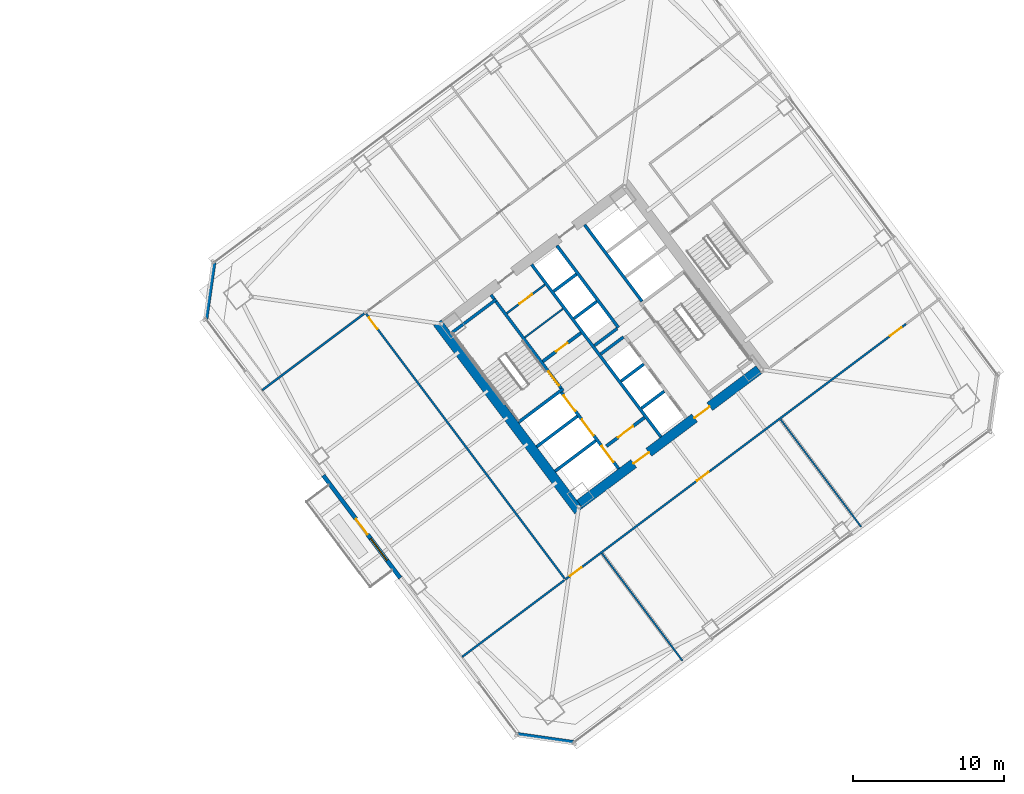
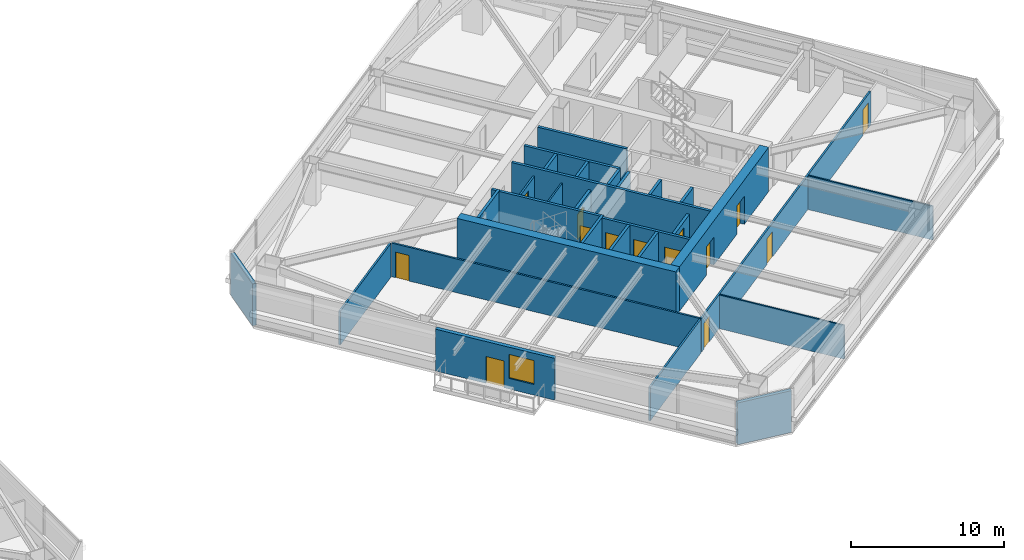
# One storey, part 35 of 44: 30 walls, 14 doors, 1 window, 15 openings.
"""IFC4 building model written with IfcOpenShell, lengths in metres."""

import ifcopenshell
import ifcopenshell.guid

model = None  # the IFC model being written
_history = None  # IfcOwnerHistory: only IFC2X3 demands one
_inside = {}  # id of a spatial element -> (the spatial element, [elements in it])
_under = {}  # id of a project, library or spatial element -> (it, [spatial elements below it])
_declared = {}  # id of a project -> (the project, [libraries it declares])
_typed = {}  # id of a type object -> (the type object, [elements of that type])
_made_of = {}  # id of a material, layer set ... -> (it, [elements and type objects made of it])


def new_model(schema):
    """Start an empty IFC model of exactly this schema.

    Asked for "IFC4X3", IfcOpenShell would pick the latest addendum, in which some entities
    have other attributes; the version numbers below select the first issue.
    IFC2X3 requires an IfcOwnerHistory on every rooted entity: one is made here for all.
    """
    global model, _history
    if schema == "IFC4X3":
        model = ifcopenshell.file(schema_version=(4, 3, 0, 0))
    else:
        model = ifcopenshell.file(schema=schema)
    _inside.clear()
    _under.clear()
    _declared.clear()
    _typed.clear()
    _made_of.clear()
    _history = None
    if model.schema == "IFC2X3":
        org = make("IfcOrganization", Name="unknown")
        user = make(
            "IfcPersonAndOrganization",
            ThePerson=make("IfcPerson", FamilyName="unknown"),
            TheOrganization=org,
        )
        app = make(
            "IfcApplication",
            ApplicationDeveloper=org,
            Version="unknown",
            ApplicationFullName="unknown",
            ApplicationIdentifier="unknown",
        )
        _history = make(
            "IfcOwnerHistory",
            OwningUser=user,
            OwningApplication=app,
            ChangeAction="ADDED",
            CreationDate=0,
        )
    return model


def make(cls, **values):
    """One entity of the class cls with the attributes given. An attribute that is None is left unset."""
    return model.create_entity(
        cls, **{name: value for name, value in values.items() if value is not None}
    )


def rooted(cls, **values):
    """An entity with a GlobalId (a new one), such as an element, a storey or a relation."""
    return make(cls, GlobalId=ifcopenshell.guid.new(), OwnerHistory=_history, **values)


def si_unit(unit_type, name, prefix=None):
    """IfcSIUnit, for example si_unit("LENGTHUNIT", "METRE", prefix="MILLI")."""
    return make("IfcSIUnit", UnitType=unit_type, Prefix=prefix, Name=name)


def assignment(units):
    """IfcUnitAssignment: the units of a project."""
    return None if units is None else make("IfcUnitAssignment", Units=units)


def point(xyz):
    """IfcCartesianPoint."""
    return None if xyz is None else make("IfcCartesianPoint", Coordinates=xyz)


def direction(xyz):
    """IfcDirection."""
    return None if xyz is None else make("IfcDirection", DirectionRatios=xyz)


def frame(location, z_axis=None, x_axis=None):
    """IfcAxis2Placement3D, a coordinate frame: its origin and axes. An axis left out is left unset."""
    return make(
        "IfcAxis2Placement3D",
        Location=point(location),
        Axis=direction(z_axis),
        RefDirection=direction(x_axis),
    )


def frame_2d(location, x_axis=None):
    """IfcAxis2Placement2D, a coordinate frame in the plane: its origin and x axis."""
    return make(
        "IfcAxis2Placement2D", Location=point(location), RefDirection=direction(x_axis)
    )


def origin():
    """The frame at (0, 0, 0) with its axes left unset."""
    return frame((0.0, 0.0, 0.0))


def place(relative_to, where):
    """IfcLocalPlacement: puts the frame where relative to a parent placement (None: the world)."""
    return make(
        "IfcLocalPlacement", PlacementRelTo=relative_to, RelativePlacement=where
    )


def context(
    kind, dimensions, precision=None, world=None, true_north=None, identifier=None
):
    """IfcGeometricRepresentationContext, for example the 3D "Model" context."""
    return make(
        "IfcGeometricRepresentationContext",
        ContextIdentifier=identifier,
        ContextType=kind,
        CoordinateSpaceDimension=dimensions,
        Precision=precision,
        WorldCoordinateSystem=world,
        TrueNorth=true_north,
    )


def subcontext(parent, identifier, kind, view, scale=None):
    """IfcGeometricRepresentationSubContext, for example "Body" below "Model"."""
    return make(
        "IfcGeometricRepresentationSubContext",
        ContextIdentifier=identifier,
        ContextType=kind,
        ParentContext=parent,
        TargetScale=scale,
        TargetView=view,
    )


def project(units=None, contexts=None):
    """IfcProject with its units and contexts."""
    return rooted(
        "IfcProject",
        Name="project",
        RepresentationContexts=contexts,
        UnitsInContext=assignment(units),
    )


def spatial(cls, under=None, at=None, **own):
    """A site, building, storey or space (cls), placed at a placement, below another one or the project."""
    s = rooted(cls, ObjectPlacement=at, **own)
    if under is not None:
        _under.setdefault(under.id(), (under, []))[1].append(s)
    return s


def profile(cls, at=None, kind="AREA", **sizes):
    """A parametric profile (cls). Its sizes go by their IFC names, for example OverallWidth=200.0."""
    return make(cls, ProfileType=kind, Position=at, **sizes)


def rectangle(**sizes):
    """IfcRectangleProfileDef."""
    return profile("IfcRectangleProfileDef", **sizes)


def extrude(swept, where, along, depth):
    """IfcExtrudedAreaSolid: the profile swept, set in the frame where, extruded along a direction by depth."""
    return make(
        "IfcExtrudedAreaSolid",
        SweptArea=swept,
        Position=where,
        ExtrudedDirection=direction(along),
        Depth=depth,
    )


def shape(context_of_items, identifier, shape_type, items):
    """IfcShapeRepresentation: the items that make up one representation, for example the "Body"."""
    return make(
        "IfcShapeRepresentation",
        ContextOfItems=context_of_items,
        RepresentationIdentifier=identifier,
        RepresentationType=shape_type,
        Items=items,
    )


def material(Name=None, Category=None):
    """IfcMaterial."""
    return make("IfcMaterial", Name=Name, Category=Category)


def layer(
    of_material, thickness, ventilated=None, Name=None, Category=None, Priority=None
):
    """IfcMaterialLayer: one layer of a wall or slab, of a material (None: an air gap)."""
    return make(
        "IfcMaterialLayer",
        Material=of_material,
        LayerThickness=thickness,
        IsVentilated=ventilated,
        Name=Name,
        Category=Category,
        Priority=Priority,
    )


def layer_set(layers, Name=None):
    """IfcMaterialLayerSet."""
    return make("IfcMaterialLayerSet", MaterialLayers=layers, LayerSetName=Name)


def made_of(thing, what):
    """Note that an element or type object is made of a material, layer set ...; save() writes the relation."""
    if what is not None:
        _made_of.setdefault(what.id(), (what, []))[1].append(thing)
    return thing


def type_object(cls, material=None, **own):
    """A type object (cls), such as IfcWallType, which elements share."""
    return made_of(rooted(cls, **own), material)


def element(
    cls,
    number,
    at=None,
    inside=None,
    cuts=None,
    type_object=None,
    material=None,
    context=None,
    identifier="Body",
    shape_type=None,
    held_by="IfcProductDefinitionShape",
    body=None,
    shapes=None,
    **own,
):
    """One element of the class cls, such as IfcWall. Its Tag is "e" and its number.

    at: its placement. inside: the storey or other place that contains it. cuts: it is an
    opening in that element (IfcRelVoidsElement). A single representation is given by context,
    identifier, shape_type and body (its items); several are given by shapes. held_by: the class
    of the entity that holds the representations. save() writes the other relations.
    """
    e = rooted(cls, Tag="e%d" % number, ObjectPlacement=at, **own)
    if body is not None:
        shapes = [shape(context, identifier, shape_type, body)]
    if shapes is not None:
        e.Representation = make(held_by, Representations=shapes)
    if inside is not None:
        _inside.setdefault(inside.id(), (inside, []))[1].append(e)
    if cuts is not None:
        rooted(
            "IfcRelVoidsElement", RelatingBuildingElement=cuts, RelatedOpeningElement=e
        )
    if type_object is not None:
        _typed.setdefault(type_object.id(), (type_object, []))[1].append(e)
    return made_of(e, material)


def fill(opening, filler):
    """IfcRelFillsElement: the door or window that sits in an opening."""
    return rooted(
        "IfcRelFillsElement",
        RelatingOpeningElement=opening,
        RelatedBuildingElement=filler,
    )


def aggregate(whole, parts):
    """IfcRelAggregates: a whole, such as a stair, and the parts it consists of."""
    return rooted("IfcRelAggregates", RelatingObject=whole, RelatedObjects=parts)


def save(model, path):
    """Write the relations noted so far, then the file.

    IfcRelAggregates (storeys below a building ...), IfcRelContainedInSpatialStructure (elements
    in a storey), IfcRelDefinesByType, IfcRelAssociatesMaterial and IfcRelDeclares: one each for
    every whole, place, type object, material and project.
    """
    for whole, parts in _under.values():
        aggregate(whole, parts)
    for where, things in _inside.values():
        rooted(
            "IfcRelContainedInSpatialStructure",
            RelatedElements=things,
            RelatingStructure=where,
        )
    for kind, things in _typed.values():
        rooted("IfcRelDefinesByType", RelatedObjects=things, RelatingType=kind)
    for what, things in _made_of.values():
        rooted("IfcRelAssociatesMaterial", RelatedObjects=things, RelatingMaterial=what)
    for by, libraries in _declared.values():
        rooted("IfcRelDeclares", RelatingContext=by, RelatedDefinitions=libraries)
    model.write(path)


model = new_model("IFC4")

# Units and contexts
model_context = context("Model", 3, precision=1e-05, world=origin(), true_north=direction((0.0, 1.0)))
body_context = subcontext(model_context, "Body", "Model", "MODEL_VIEW")
ifc_project = project(units=[si_unit("LENGTHUNIT", "METRE"), si_unit("AREAUNIT", "SQUARE_METRE"), si_unit("VOLUMEUNIT", "CUBIC_METRE"), si_unit("PLANEANGLEUNIT", "RADIAN"), si_unit("MASSUNIT", "GRAM", prefix="KILO")], contexts=[model_context])

# Site, building, storey
site_placement = place(None, origin())
site = spatial("IfcSite", under=ifc_project, at=site_placement, CompositionType="ELEMENT")
building_placement = place(site_placement, origin())
building = spatial("IfcBuilding", under=site, at=building_placement, Name="Tashvorn Skyway Center", CompositionType="ELEMENT")
storey_placement = place(building_placement, frame((0.0, 0.0, 84.949951171875)))
storey = spatial("IfcBuildingStorey", under=building, at=storey_placement, Name="L22", CompositionType="ELEMENT", Elevation=84.949951171875)

# Wall
ifc_material_1 = material(Name="Concrete C60/75", Category="concrete")
ifc_layer_1 = layer(ifc_material_1, 0.64990234375)
ifc_layer_set_1 = layer_set([ifc_layer_1], Name="Concrete C60/75")
wall_type_1 = type_object("IfcWallType", Name="WALL-CORE-650", PredefinedType="SHEAR", material=ifc_layer_set_1)
wall_1_placement = place(storey_placement, frame((112.47607421875, 21.10693359375, 0.0), z_axis=(0.0, 0.0, 1.0), x_axis=(-0.600005007985, 0.799996243986, 0.0)))
element("IfcWall", 1, at=wall_1_placement, inside=storey, type_object=wall_type_1, Name="Tower 2 L22 West Core Shear Wall", PredefinedType="SHEAR", context=body_context, shape_type="SweptSolid", body=[
    extrude(rectangle(XDim=15.60009765625, YDim=0.64990234375, at=frame_2d((7.800048828125, 0.0))), origin(), (0.0, 0.0, 1.0), 3.550048828125),
])

# Wall, openings, doors
wall_2_placement = place(storey_placement, frame((124.428955078125, 30.47802734375, 0.0), z_axis=(0.0, 0.0, 1.0), x_axis=(-0.799998028465, -0.600002628705, 0.0)))
wall_2 = element("IfcWall", 2, at=wall_2_placement, inside=storey, type_object=wall_type_1, Name="Tower 2 L22 South Core Shear Wall", PredefinedType="SHEAR", context=body_context, shape_type="SweptSolid", body=[
    extrude(rectangle(XDim=14.85986328125, YDim=0.64990234375, at=frame_2d((7.429931640625, 0.0))), origin(), (0.0, 0.0, 1.0), 3.550048828125),
])
opening_1_placement = place(wall_2_placement, frame((9.1298828125, 0.0, 0.0)))
opening_1 = element("IfcOpeningElement", 3, at=opening_1_placement, cuts=wall_2, Name="Opening D-FFL-1250", PredefinedType="OPENING", context=body_context, shape_type="SweptSolid", body=[
    extrude(rectangle(XDim=1.25, YDim=2.25, at=frame_2d((0.625, 1.125))), frame((0.0, 0.3349609375, 0.0), z_axis=(0.0, -1.0, 0.0), x_axis=(1.0, 0.0, 0.0)), (0.0, 0.0, 1.0), 0.669921875),
])
opening_2_placement = place(wall_2_placement, frame((4.080078125, 0.0, 0.0)))
opening_2 = element("IfcOpeningElement", 4, at=opening_2_placement, cuts=wall_2, Name="Opening D-FFL-1250", PredefinedType="OPENING", context=body_context, shape_type="SweptSolid", body=[
    extrude(rectangle(XDim=1.25, YDim=2.25, at=frame_2d((0.625, 1.125))), frame((0.0, 0.3349609375, 0.0), z_axis=(0.0, -1.0, 0.0), x_axis=(1.0, 0.0, 0.0)), (0.0, 0.0, 1.0), 0.669921875),
])
ifc_material_2 = material(Name="Hollow galvanized steel fire door assembly", Category="steel")
door_type_1 = type_object("IfcDoorType", Name="DOOR-FFL-1250", OperationType="NOTDEFINED", PredefinedType="DOOR", material=ifc_material_2)
door_1_placement = place(opening_1_placement, origin())
door_1 = element("IfcDoor", 5, at=door_1_placement, inside=storey, type_object=door_type_1, Name="Tower 2 L22 Core South Firefighting Exit Door", OperationType="SINGLE_SWING_LEFT", OverallHeight=2.25, OverallWidth=1.25, PredefinedType="DOOR", context=body_context, shape_type="SweptSolid", body=[
    extrude(rectangle(XDim=1.25, YDim=2.25, at=frame_2d((0.625, 1.125))), frame((0.0, 0.02490234375, 0.0), z_axis=(0.0, -1.0, 0.0), x_axis=(1.0, 0.0, 0.0)), (0.0, 0.0, 1.0), 0.050048828125),
])
fill(opening_1, door_1)
door_2_placement = place(opening_2_placement, origin())
door_2 = element("IfcDoor", 6, at=door_2_placement, inside=storey, type_object=door_type_1, Name="Tower 2 L22 Core South Lift Lobby Door", OperationType="SINGLE_SWING_RIGHT", OverallHeight=2.25, OverallWidth=1.25, PredefinedType="DOOR", context=body_context, shape_type="SweptSolid", body=[
    extrude(rectangle(XDim=1.25, YDim=2.25, at=frame_2d((0.625, 1.125))), frame((0.0, 0.02490234375, 0.0), z_axis=(0.0, -1.0, 0.0), x_axis=(1.0, 0.0, 0.0)), (0.0, 0.0, 1.0), 0.050048828125),
])
fill(opening_2, door_2)

# Wall, openings, door, window
ifc_material_3 = material(Name="Precast concrete C40/50", Category="concrete")
ifc_layer_2 = layer(ifc_material_3, 0.280029296875)
ifc_layer_set_2 = layer_set([ifc_layer_2], Name="Precast concrete C40/50")
wall_type_2 = type_object("IfcWallType", Name="WALL-EXT-280", PredefinedType="SOLIDWALL", material=ifc_layer_set_2)
wall_3_placement = place(storey_placement, frame((100.64599609375, 16.672119140625, 0.0), z_axis=(0.0, 0.0, 1.0), x_axis=(-0.600018382406, 0.799986212866, 0.0)))
wall_3 = element("IfcWall", 7, at=wall_3_placement, inside=storey, type_object=wall_type_2, Name="Tower 2 L22 West Terrace Portal Wall", PredefinedType="SOLIDWALL", context=body_context, shape_type="SweptSolid", body=[
    extrude(rectangle(XDim=8.5, YDim=0.280029296875, at=frame_2d((4.25, 0.0))), origin(), (0.0, 0.0, 1.0), 3.35009765625),
])
opening_3_placement = place(wall_3_placement, frame((3.60009765625, 0.0, 0.0)))
opening_3 = element("IfcOpeningElement", 8, at=opening_3_placement, cuts=wall_3, Name="Opening D-TER-1300", PredefinedType="OPENING", context=body_context, shape_type="SweptSolid", body=[
    extrude(rectangle(XDim=1.300048828125, YDim=2.14990234375, at=frame_2d((0.64990234375, 1.074951171875))), frame((0.0, 0.14990234375, 0.0), z_axis=(0.0, -1.0, 0.0), x_axis=(1.0, 0.0, 0.0)), (0.0, 0.0, 1.0), 0.300048828125),
])
opening_4_placement = place(wall_3_placement, frame((1.4599609375, 0.0, 0.85009765625)))
opening_4 = element("IfcOpeningElement", 9, at=opening_4_placement, cuts=wall_3, Name="Opening WIN-1800", PredefinedType="OPENING", context=body_context, shape_type="SweptSolid", body=[
    extrude(rectangle(XDim=1.800048828125, YDim=1.919921875, at=frame_2d((0.89990234375, 0.9599609375))), frame((0.0, 0.14990234375, 0.0), z_axis=(0.0, -1.0, 0.0), x_axis=(1.0, 0.0, 0.0)), (0.0, 0.0, 1.0), 0.300048828125),
])
ifc_material_4 = material(Name="Thermally broken bronze-anodized aluminium 6063-T6", Category="aluminium")
door_type_2 = type_object("IfcDoorType", Name="DOOR-TERR-1300", OperationType="NOTDEFINED", PredefinedType="DOOR", material=ifc_material_4)
door_3_placement = place(opening_3_placement, origin())
door_3 = element("IfcDoor", 10, at=door_3_placement, inside=storey, type_object=door_type_2, Name="Tower 2 L22 Terrace Access Door", OperationType="SINGLE_SWING_LEFT", OverallHeight=2.14990234375, OverallWidth=1.300048828125, PredefinedType="DOOR", context=body_context, shape_type="SweptSolid", body=[
    extrude(rectangle(XDim=1.300048828125, YDim=2.14990234375, at=frame_2d((0.64990234375, 1.074951171875))), frame((0.0, 0.02490234375, 0.0), z_axis=(0.0, -1.0, 0.0), x_axis=(1.0, 0.0, 0.0)), (0.0, 0.0, 1.0), 0.050048828125),
])
fill(opening_3, door_3)
ifc_material_5 = material(Name="Low-E solar-control double insulating safety glass", Category="glass")
window_type = type_object("IfcWindowType", Name="WIN-TERR-1800", PartitioningType="SINGLE_PANEL", PredefinedType="WINDOW", material=ifc_material_5)
window_placement = place(opening_4_placement, origin())
window = element("IfcWindow", 11, at=window_placement, inside=storey, type_object=window_type, Name="Tower 2 L22 Terrace Window", OverallHeight=1.919921875, OverallWidth=1.800048828125, PartitioningType="SINGLE_PANEL", PredefinedType="WINDOW", context=body_context, shape_type="SweptSolid", body=[
    extrude(rectangle(XDim=1.800048828125, YDim=1.919921875, at=frame_2d((0.89990234375, 0.9599609375))), frame((0.0, 0.030029296875, 0.0), z_axis=(0.0, -1.0, 0.0), x_axis=(1.0, 0.0, 0.0)), (0.0, 0.0, 1.0), 0.06005859375),
])
fill(opening_4, window)

# Walls
for number, where, z_axis, x_axis, name in (
    (12, (112.179931640625, 5.760009765625, 0.0), (0.0, 0.0, 1.0), (-0.989948214866, 0.141430307517, 0.0), "Tower 2 L22 SW Precast Chamfer Wall"),
    (13, (87.760009765625, 33.820068359375, 0.0), (0.0, 0.0, 1.0), (0.141430307517, 0.989948214866, 0.0), "Tower 2 L22 NW Precast Chamfer Wall"),
):
    element("IfcWall", number, at=place(storey_placement, frame(where, z_axis=z_axis, x_axis=x_axis)), inside=storey, type_object=wall_type_2, Name=name, PredefinedType="SOLIDWALL", context=body_context, shape_type="SweptSolid", body=[
        extrude(rectangle(XDim=3.818359375, YDim=0.280029296875, at=frame_2d((1.9091796875, 0.0))), origin(), (0.0, 0.0, 1.0), 3.35009765625),
    ])

# Wall, opening, door
ifc_material_6 = material(Name="Concrete C40/50", Category="concrete")
ifc_layer_3 = layer(ifc_material_6, 0.219970703125)
ifc_layer_set_3 = layer_set([ifc_layer_3], Name="Concrete C40/50")
wall_type_3 = type_object("IfcWallType", Name="WALL-FFL-220", PredefinedType="SOLIDWALL", material=ifc_layer_set_3)
wall_4_placement = place(storey_placement, frame((110.10400390625, 31.028076171875, 0.0), z_axis=(0.0, 0.0, 1.0), x_axis=(0.800018601094, 0.59997519774, 0.0)))
wall_4 = element("IfcWall", 14, at=wall_4_placement, inside=storey, type_object=wall_type_3, Name="Tower 2 L22 Firefighting Lobby North Wall", PredefinedType="SOLIDWALL", context=body_context, shape_type="SweptSolid", body=[
    extrude(rectangle(XDim=3.14990234375, YDim=0.219970703125, at=frame_2d((1.574951171875, 0.0))), origin(), (0.0, 0.0, 1.0), 2.703125),
])
opening_5_placement = place(wall_4_placement, frame((1.10009765625, 0.0, 0.0)))
opening_5 = element("IfcOpeningElement", 15, at=opening_5_placement, cuts=wall_4, Name="Opening D-RT-950", PredefinedType="OPENING", context=body_context, shape_type="SweptSolid", body=[
    extrude(rectangle(XDim=0.949951171875, YDim=2.050048828125, at=frame_2d((0.47509765625, 1.02490234375))), frame((0.0, 0.119873046875, 0.0), z_axis=(0.0, -1.0, 0.0), x_axis=(1.0, 0.0, 0.0)), (0.0, 0.0, 1.0), 0.239990234375),
])
door_type_3 = type_object("IfcDoorType", Name="DOOR-RATED-950", OperationType="NOTDEFINED", PredefinedType="DOOR", material=ifc_material_2)
door_4_placement = place(opening_5_placement, origin())
door_4 = element("IfcDoor", 16, at=door_4_placement, inside=storey, type_object=door_type_3, Name="Tower 2 L22 Core Linen Store Door", OperationType="SINGLE_SWING_LEFT", OverallHeight=2.050048828125, OverallWidth=0.949951171875, PredefinedType="DOOR", context=body_context, shape_type="SweptSolid", body=[
    extrude(rectangle(XDim=0.949951171875, YDim=2.050048828125, at=frame_2d((0.47509765625, 1.02490234375))), frame((0.0, 0.02490234375, 0.0), z_axis=(0.0, -1.0, 0.0), x_axis=(1.0, 0.0, 0.0)), (0.0, 0.0, 1.0), 0.050048828125),
])
fill(opening_5, door_4)

wall_5_placement = place(storey_placement, frame((114.31591796875, 25.412109375, 0.0), z_axis=(0.0, 0.0, 1.0), x_axis=(0.800018601094, 0.59997519774, 0.0)))
wall_5 = element("IfcWall", 17, at=wall_5_placement, inside=storey, type_object=wall_type_3, Name="Tower 2 L22 Firefighting Lobby South Wall", PredefinedType="SOLIDWALL", context=body_context, shape_type="SweptSolid", body=[
    extrude(rectangle(XDim=3.14990234375, YDim=0.219970703125, at=frame_2d((1.574951171875, 0.0))), origin(), (0.0, 0.0, 1.0), 2.703125),
])
opening_6_placement = place(wall_5_placement, frame((0.949951171875, 0.0, 0.0)))
opening_6 = element("IfcOpeningElement", 18, at=opening_6_placement, cuts=wall_5, Name="Opening D-FFL-1250", PredefinedType="OPENING", context=body_context, shape_type="SweptSolid", body=[
    extrude(rectangle(XDim=1.25, YDim=2.25, at=frame_2d((0.625, 1.125))), frame((0.0, 0.119873046875, 0.0), z_axis=(0.0, -1.0, 0.0), x_axis=(1.0, 0.0, 0.0)), (0.0, 0.0, 1.0), 0.239990234375),
])
door_5_placement = place(opening_6_placement, origin())
door_5 = element("IfcDoor", 19, at=door_5_placement, inside=storey, type_object=door_type_1, Name="Tower 2 L22 Firefighting Lobby Egress Door", OperationType="SINGLE_SWING_LEFT", OverallHeight=2.25, OverallWidth=1.25, PredefinedType="DOOR", context=body_context, shape_type="SweptSolid", body=[
    extrude(rectangle(XDim=1.25, YDim=2.25, at=frame_2d((0.625, 1.125))), frame((0.0, 0.02490234375, 0.0), z_axis=(0.0, -1.0, 0.0), x_axis=(1.0, 0.0, 0.0)), (0.0, 0.0, 1.0), 0.050048828125),
])
fill(opening_6, door_5)

# Walls
ifc_material_7 = material(Name="Gypsum board on cold-formed steel stud framing", Category="steel")
ifc_layer_4 = layer(ifc_material_7, 0.110107421875)
ifc_layer_set_4 = layer_set([ifc_layer_4], Name="Gypsum board on cold-formed steel stud framing")
wall_type_4 = type_object("IfcWallType", Name="WALL-PART-110", PredefinedType="PARTITIONING", material=ifc_layer_set_4)
wall_6_placement = place(storey_placement, frame((119.367919921875, 11.176025390625, 0.0), z_axis=(0.0, 0.0, 1.0), x_axis=(-0.59999561085, 0.800003291844, 0.0)))
element("IfcWall", 20, at=wall_6_placement, inside=storey, type_object=wall_type_4, Name="Tower 2 L22 South Suite Partition 1", PredefinedType="PARTITIONING", context=body_context, shape_type="SweptSolid", body=[
    extrude(rectangle(XDim=8.89990234375, YDim=0.110107421875, at=frame_2d((4.449951171875, 0.0))), origin(), (0.0, 0.0, 1.0), 2.703125),
])
wall_7_placement = place(storey_placement, frame((131.2080078125, 20.055908203125, 0.0), z_axis=(0.0, 0.0, 1.0), x_axis=(-0.6, 0.8, 0.0)))
element("IfcWall", 21, at=wall_7_placement, inside=storey, type_object=wall_type_4, Name="Tower 2 L22 South Suite Partition 2", PredefinedType="PARTITIONING", context=body_context, shape_type="SweptSolid", body=[
    extrude(rectangle(XDim=8.900146484375, YDim=0.110107421875, at=frame_2d((4.4501953125, 0.0))), origin(), (0.0, 0.0, 1.0), 2.703125),
])

# Wall, openings, doors
ifc_layer_5 = layer(ifc_material_7, 0.135009765625)
ifc_layer_set_5 = layer_set([ifc_layer_5], Name="Gypsum board on cold-formed steel stud framing")
wall_type_5 = type_object("IfcWallType", Name="WALL-PART-135", PredefinedType="PARTITIONING", material=ifc_layer_set_5)
wall_8_placement = place(storey_placement, frame((134.179931640625, 33.510009765625, 0.0), z_axis=(0.0, 0.0, 1.0), x_axis=(-0.8, -0.6, 0.0)))
wall_8 = element("IfcWall", 22, at=wall_8_placement, inside=storey, type_object=wall_type_5, Name="Tower 2 L22 South Suite Wall", PredefinedType="PARTITIONING", context=body_context, shape_type="SweptSolid", body=[
    extrude(rectangle(XDim=28.22998046875, YDim=0.135009765625, at=frame_2d((14.114990234375, 0.0))), origin(), (0.0, 0.0, 1.0), 2.703125),
])
opening_7_placement = place(wall_8_placement, frame((26.89990234375, 0.0, 0.0)))
opening_7 = element("IfcOpeningElement", 23, at=opening_7_placement, cuts=wall_8, Name="Opening D-INT-950", PredefinedType="OPENING", context=body_context, shape_type="SweptSolid", body=[
    extrude(rectangle(XDim=0.949951171875, YDim=2.050048828125, at=frame_2d((0.47509765625, 1.02490234375))), frame((0.0, 0.077392578125, 0.0), z_axis=(0.0, -1.0, 0.0), x_axis=(1.0, 0.0, 0.0)), (0.0, 0.0, 1.0), 0.155029296875),
])
opening_8_placement = place(wall_8_placement, frame((16.3681640625, 0.0, 0.0)))
opening_8 = element("IfcOpeningElement", 24, at=opening_8_placement, cuts=wall_8, Name="Opening D-INT-950", PredefinedType="OPENING", context=body_context, shape_type="SweptSolid", body=[
    extrude(rectangle(XDim=0.949951171875, YDim=2.050048828125, at=frame_2d((0.47509765625, 1.02490234375))), frame((0.0, 0.077392578125, 0.0), z_axis=(0.0, -1.0, 0.0), x_axis=(1.0, 0.0, 0.0)), (0.0, 0.0, 1.0), 0.155029296875),
])
opening_9_placement = place(wall_8_placement, frame((0.3798828125, 0.0, 0.0)))
opening_9 = element("IfcOpeningElement", 25, at=opening_9_placement, cuts=wall_8, Name="Opening D-INT-950", PredefinedType="OPENING", context=body_context, shape_type="SweptSolid", body=[
    extrude(rectangle(XDim=0.949951171875, YDim=2.050048828125, at=frame_2d((0.47509765625, 1.02490234375))), frame((0.0, 0.077392578125, 0.0), z_axis=(0.0, -1.0, 0.0), x_axis=(1.0, 0.0, 0.0)), (0.0, 0.0, 1.0), 0.155029296875),
])
ifc_material_8 = material(Name="Solid-core architectural oak veneer door")
door_type_4 = type_object("IfcDoorType", Name="DOOR-INT-950", OperationType="NOTDEFINED", PredefinedType="DOOR", material=ifc_material_8)
door_6_placement = place(opening_7_placement, origin())
door_6 = element("IfcDoor", 26, at=door_6_placement, inside=storey, type_object=door_type_4, Name="Tower 2 L22 Research Library Door", OperationType="SINGLE_SWING_RIGHT", OverallHeight=2.050048828125, OverallWidth=0.949951171875, PredefinedType="DOOR", context=body_context, shape_type="SweptSolid", body=[
    extrude(rectangle(XDim=0.949951171875, YDim=2.050048828125, at=frame_2d((0.47509765625, 1.02490234375))), frame((0.0, 0.02490234375, 0.0), z_axis=(0.0, -1.0, 0.0), x_axis=(1.0, 0.0, 0.0)), (0.0, 0.0, 1.0), 0.050048828125),
])
fill(opening_7, door_6)
door_7_placement = place(opening_8_placement, origin())
door_7 = element("IfcDoor", 27, at=door_7_placement, inside=storey, type_object=door_type_4, Name="Tower 2 L22 Security Control Room Door", OperationType="SINGLE_SWING_LEFT", OverallHeight=2.050048828125, OverallWidth=0.949951171875, PredefinedType="DOOR", context=body_context, shape_type="SweptSolid", body=[
    extrude(rectangle(XDim=0.949951171875, YDim=2.050048828125, at=frame_2d((0.47509765625, 1.02490234375))), frame((0.0, 0.02490234375, 0.0), z_axis=(0.0, -1.0, 0.0), x_axis=(1.0, 0.0, 0.0)), (0.0, 0.0, 1.0), 0.050048828125),
])
fill(opening_8, door_7)
door_8_placement = place(opening_9_placement, origin())
door_8 = element("IfcDoor", 28, at=door_8_placement, inside=storey, type_object=door_type_4, Name="Tower 2 L22 Security Control Room Door", OperationType="SINGLE_SWING_RIGHT", OverallHeight=2.050048828125, OverallWidth=0.949951171875, PredefinedType="DOOR", context=body_context, shape_type="SweptSolid", body=[
    extrude(rectangle(XDim=0.949951171875, YDim=2.050048828125, at=frame_2d((0.47509765625, 1.02490234375))), frame((0.0, 0.02490234375, 0.0), z_axis=(0.0, -1.0, 0.0), x_axis=(1.0, 0.0, 0.0)), (0.0, 0.0, 1.0), 0.050048828125),
])
fill(opening_9, door_8)

# Wall, opening, door
wall_9_placement = place(storey_placement, frame((111.548095703125, 16.635986328125, 0.0), z_axis=(0.0, 0.0, 1.0), x_axis=(-0.600001780419, 0.799998664682, 0.0)))
wall_9 = element("IfcWall", 29, at=wall_9_placement, inside=storey, type_object=wall_type_5, Name="Tower 2 L22 West Inner Suite Wall", PredefinedType="PARTITIONING", context=body_context, shape_type="SweptSolid", body=[
    extrude(rectangle(XDim=21.93994140625, YDim=0.135009765625, at=frame_2d((10.969970703125, 0.0))), origin(), (0.0, 0.0, 1.0), 2.703125),
])
opening_10_placement = place(wall_9_placement, frame((20.68994140625, 0.0, 0.0)))
opening_10 = element("IfcOpeningElement", 30, at=opening_10_placement, cuts=wall_9, Name="Opening D-INT-950", PredefinedType="OPENING", context=body_context, shape_type="SweptSolid", body=[
    extrude(rectangle(XDim=0.949951171875, YDim=2.050048828125, at=frame_2d((0.47509765625, 1.02490234375))), frame((0.0, 0.077392578125, 0.0), z_axis=(0.0, -1.0, 0.0), x_axis=(1.0, 0.0, 0.0)), (0.0, 0.0, 1.0), 0.155029296875),
])
door_9_placement = place(opening_10_placement, origin())
door_9 = element("IfcDoor", 31, at=door_9_placement, inside=storey, type_object=door_type_4, Name="Tower 2 L22 Design Studio Door", OperationType="SINGLE_SWING_LEFT", OverallHeight=2.050048828125, OverallWidth=0.949951171875, PredefinedType="DOOR", context=body_context, shape_type="SweptSolid", body=[
    extrude(rectangle(XDim=0.949951171875, YDim=2.050048828125, at=frame_2d((0.47509765625, 1.02490234375))), frame((0.0, 0.02490234375, 0.0), z_axis=(0.0, -1.0, 0.0), x_axis=(1.0, 0.0, 0.0)), (0.0, 0.0, 1.0), 0.050048828125),
])
fill(opening_10, door_9)

# Walls
for number, where, z_axis, x_axis, name in (
    (32, (98.27197265625, 34.2041015625, 0.0), (0.0, 0.0, 1.0), (-0.799993082085, -0.600009223776, 0.0), "Tower 2 L22 West Suite North Wall"),
    (33, (104.756103515625, 11.44189453125, 0.0), (0.0, 0.0, 1.0), (0.799993082085, 0.600009223776, 0.0), "Tower 2 L22 West Suite South Wall"),
):
    element("IfcWall", number, at=place(storey_placement, frame(where, z_axis=z_axis, x_axis=x_axis)), inside=storey, type_object=wall_type_5, Name=name, PredefinedType="PARTITIONING", context=body_context, shape_type="SweptSolid", body=[
        extrude(rectangle(XDim=8.469970703125, YDim=0.135009765625, at=frame_2d((4.23486328125, 0.0))), origin(), (0.0, 0.0, 1.0), 2.703125),
    ])
ifc_layer_6 = layer(ifc_material_7, 0.110107421875)
ifc_layer_set_6 = layer_set([ifc_layer_6], Name="Gypsum board on cold-formed steel stud framing")
wall_type_6 = type_object("IfcWallType", Name="WALL-RATED-110", PredefinedType="PARTITIONING", material=ifc_layer_set_6)
wall_10_placement = place(storey_placement, frame((108.909912109375, 32.6201171875, 0.0), z_axis=(0.0, 0.0, 1.0), x_axis=(0.800018601094, 0.59997519774, 0.0)))
element("IfcWall", 34, at=wall_10_placement, inside=storey, type_object=wall_type_6, Name="Tower 2 L22 Core Transverse Wall", PredefinedType="PARTITIONING", context=body_context, shape_type="SweptSolid", body=[
    extrude(rectangle(XDim=3.14990234375, YDim=0.110107421875, at=frame_2d((1.574951171875, 0.0))), origin(), (0.0, 0.0, 1.0), 2.703125),
])

# Wall, opening, door
ifc_layer_7 = layer(ifc_material_7, 0.135009765625)
ifc_layer_set_7 = layer_set([ifc_layer_7], Name="Gypsum board on cold-formed steel stud framing")
wall_type_7 = type_object("IfcWallType", Name="WALL-RATED-135", PredefinedType="PARTITIONING", material=ifc_layer_set_7)
wall_11_placement = place(storey_placement, frame((107.7099609375, 34.219970703125, 0.0), z_axis=(0.0, 0.0, 1.0), x_axis=(0.799981399002, 0.60002480053, 0.0)))
wall_11 = element("IfcWall", 35, at=wall_11_placement, inside=storey, type_object=wall_type_7, Name="Tower 2 L22 Core Service Lobby Wall", PredefinedType="PARTITIONING", context=body_context, shape_type="SweptSolid", body=[
    extrude(rectangle(XDim=3.150146484375, YDim=0.135009765625, at=frame_2d((1.5751953125, 0.0))), origin(), (0.0, 0.0, 1.0), 2.703125),
])
opening_11_placement = place(wall_11_placement, frame((1.050048828125, 0.0, 0.0)))
opening_11 = element("IfcOpeningElement", 36, at=opening_11_placement, cuts=wall_11, Name="Opening D-RT-1050", PredefinedType="OPENING", context=body_context, shape_type="SweptSolid", body=[
    extrude(rectangle(XDim=1.050048828125, YDim=2.199951171875, at=frame_2d((0.52490234375, 1.10009765625))), frame((0.0, 0.077392578125, 0.0), z_axis=(0.0, -1.0, 0.0), x_axis=(1.0, 0.0, 0.0)), (0.0, 0.0, 1.0), 0.155029296875),
])
door_type_5 = type_object("IfcDoorType", Name="DOOR-RATED-1050", OperationType="NOTDEFINED", PredefinedType="DOOR", material=ifc_material_2)
door_10_placement = place(opening_11_placement, origin())
door_10 = element("IfcDoor", 37, at=door_10_placement, inside=storey, type_object=door_type_5, Name="Tower 2 L22 Core Accessible WC Door", OperationType="SINGLE_SWING_RIGHT", OverallHeight=2.199951171875, OverallWidth=1.050048828125, PredefinedType="DOOR", context=body_context, shape_type="SweptSolid", body=[
    extrude(rectangle(XDim=1.050048828125, YDim=2.199951171875, at=frame_2d((0.52490234375, 1.10009765625))), frame((0.0, 0.02490234375, 0.0), z_axis=(0.0, -1.0, 0.0), x_axis=(1.0, 0.0, 0.0)), (0.0, 0.0, 1.0), 0.050048828125),
])
fill(opening_11, door_10)

# Walls
ifc_layer_8 = layer(ifc_material_6, 0.199951171875)
ifc_layer_set_8 = layer_set([ifc_layer_8], Name="Concrete C40/50")
wall_type_8 = type_object("IfcWallType", Name="WALL-SHAFT-200", PredefinedType="SOLIDWALL", material=ifc_layer_set_8)
for number, where, z_axis, x_axis, name in (
    (38, (110.906005859375, 23.741943359375, 0.0), (0.0, 0.0, 1.0), (0.8, 0.6, 0.0), "Tower 2 L22 FSAE Shaft Divider"),
    (39, (109.68798828125, 25.365966796875, 0.0), (0.0, 0.0, 1.0), (0.8, 0.6, 0.0), "Tower 2 L22 FSAE Shaft Divider"),
):
    element("IfcWall", number, at=place(storey_placement, frame(where, z_axis=z_axis, x_axis=x_axis)), inside=storey, type_object=wall_type_8, Name=name, PredefinedType="SOLIDWALL", context=body_context, shape_type="SweptSolid", body=[
        extrude(rectangle(XDim=3.380126953125, YDim=0.199951171875, at=frame_2d((1.68994140625, 0.0))), origin(), (0.0, 0.0, 1.0), 3.35009765625),
    ])
wall_12_placement = place(storey_placement, frame((116.64599609375, 27.922119140625, 0.0), z_axis=(0.0, 0.0, 1.0), x_axis=(0.8, 0.6, 0.0)))
element("IfcWall", 40, at=wall_12_placement, inside=storey, type_object=wall_type_8, Name="Tower 2 L22 Low-Rise Shaft Divider", PredefinedType="SOLIDWALL", context=body_context, shape_type="SweptSolid", body=[
    extrude(rectangle(XDim=1.8798828125, YDim=0.199951171875, at=frame_2d((0.93994140625, 0.0))), origin(), (0.0, 0.0, 1.0), 3.35009765625),
])
wall_13_placement = place(storey_placement, frame((115.2958984375, 29.721923828125, 0.0), z_axis=(0.0, 0.0, 1.0), x_axis=(0.799984418148, 0.600020775241, 0.0)))
element("IfcWall", 41, at=wall_13_placement, inside=storey, type_object=wall_type_8, Name="Tower 2 L22 Low-Rise Shaft Divider", PredefinedType="SOLIDWALL", context=body_context, shape_type="SweptSolid", body=[
    extrude(rectangle(XDim=1.880126953125, YDim=0.199951171875, at=frame_2d((0.93994140625, 0.0))), origin(), (0.0, 0.0, 1.0), 3.35009765625),
])
wall_14_placement = place(storey_placement, frame((113.946044921875, 31.52197265625, 0.0), z_axis=(0.0, 0.0, 1.0), x_axis=(0.8, 0.6, 0.0)))
element("IfcWall", 42, at=wall_14_placement, inside=storey, type_object=wall_type_8, Name="Tower 2 L22 Low-Rise Shaft Divider", PredefinedType="SOLIDWALL", context=body_context, shape_type="SweptSolid", body=[
    extrude(rectangle(XDim=1.8798828125, YDim=0.199951171875, at=frame_2d((0.93994140625, 0.0))), origin(), (0.0, 0.0, 1.0), 3.35009765625),
])
wall_15_placement = place(storey_placement, frame((115.110107421875, 33.27001953125, 0.0), z_axis=(0.0, 0.0, 1.0), x_axis=(-0.600011488909, 0.79999138319, 0.0)))
element("IfcWall", 43, at=wall_15_placement, inside=storey, type_object=wall_type_8, Name="Tower 2 L22 Mid-Rise Core Wall", PredefinedType="SOLIDWALL", context=body_context, shape_type="SweptSolid", body=[
    extrude(rectangle(XDim=6.800048828125, YDim=0.199951171875, at=frame_2d((3.39990234375, 0.0))), origin(), (0.0, 0.0, 1.0), 3.35009765625),
])
wall_16_placement = place(storey_placement, frame((113.52587890625, 32.08203125, 0.0), z_axis=(0.0, 0.0, 1.0), x_axis=(0.800046745961, 0.599937666993, 0.0)))
element("IfcWall", 44, at=wall_16_placement, inside=storey, type_object=wall_type_8, Name="Tower 2 L22 Mid-Rise Shaft Divider", PredefinedType="SOLIDWALL", context=body_context, shape_type="SweptSolid", body=[
    extrude(rectangle(XDim=1.880126953125, YDim=0.199951171875, at=frame_2d((0.93994140625, 0.0))), origin(), (0.0, 0.0, 1.0), 3.35009765625),
])
wall_17_placement = place(storey_placement, frame((112.176025390625, 33.882080078125, 0.0), z_axis=(0.0, 0.0, 1.0), x_axis=(0.8, 0.6, 0.0)))
element("IfcWall", 45, at=wall_17_placement, inside=storey, type_object=wall_type_8, Name="Tower 2 L22 Mid-Rise Shaft Divider", PredefinedType="SOLIDWALL", context=body_context, shape_type="SweptSolid", body=[
    extrude(rectangle(XDim=1.8798828125, YDim=0.199951171875, at=frame_2d((0.93994140625, 0.0))), origin(), (0.0, 0.0, 1.0), 3.35009765625),
])
wall_18_placement = place(storey_placement, frame((110.825927734375, 35.681884765625, 0.0), z_axis=(0.0, 0.0, 1.0), x_axis=(0.799984418148, 0.600020775241, 0.0)))
element("IfcWall", 46, at=wall_18_placement, inside=storey, type_object=wall_type_8, Name="Tower 2 L22 Mid-Rise Shaft Divider", PredefinedType="SOLIDWALL", context=body_context, shape_type="SweptSolid", body=[
    extrude(rectangle(XDim=1.880126953125, YDim=0.199951171875, at=frame_2d((0.93994140625, 0.0))), origin(), (0.0, 0.0, 1.0), 3.35009765625),
])

# Wall, opening, door
ifc_layer_9 = layer(ifc_material_6, 0.199951171875)
ifc_layer_set_9 = layer_set([ifc_layer_9], Name="Concrete C40/50")
wall_type_9 = type_object("IfcWallType", Name="WALL-STSHF-200", PredefinedType="SHEAR", material=ifc_layer_set_9)
wall_19_placement = place(storey_placement, frame((111.43994140625, 29.080078125, 0.0), z_axis=(0.0, 0.0, 1.0), x_axis=(-0.600009827119, 0.799992629566, 0.0)))
wall_19 = element("IfcWall", 47, at=wall_19_placement, inside=storey, type_object=wall_type_9, Name="Tower 2 L22 Stair 1 Enclosure Wall", PredefinedType="SHEAR", context=body_context, shape_type="SweptSolid", body=[
    extrude(rectangle(XDim=7.949951171875, YDim=0.199951171875, at=frame_2d((3.97509765625, 0.0))), origin(), (0.0, 0.0, 1.0), 3.35009765625),
])
opening_12_placement = place(wall_19_placement, frame((0.449951171875, 0.0, 0.0)))
opening_12 = element("IfcOpeningElement", 48, at=opening_12_placement, cuts=wall_19, Name="Opening D-ST-1150", PredefinedType="OPENING", context=body_context, shape_type="SweptSolid", body=[
    extrude(rectangle(XDim=1.14990234375, YDim=2.199951171875, at=frame_2d((0.574951171875, 1.10009765625))), frame((0.0, 0.10986328125, 0.0), z_axis=(0.0, -1.0, 0.0), x_axis=(1.0, 0.0, 0.0)), (0.0, 0.0, 1.0), 0.219970703125),
])
door_type_6 = type_object("IfcDoorType", Name="DOOR-STAIR-1150", OperationType="NOTDEFINED", PredefinedType="DOOR", material=ifc_material_2)
door_11_placement = place(opening_12_placement, origin())
door_11 = element("IfcDoor", 49, at=door_11_placement, inside=storey, type_object=door_type_6, Name="Tower 2 L22 Exit Stair 1 Door", OperationType="SINGLE_SWING_RIGHT", OverallHeight=2.199951171875, OverallWidth=1.14990234375, PredefinedType="DOOR", context=body_context, shape_type="SweptSolid", body=[
    extrude(rectangle(XDim=1.14990234375, YDim=2.199951171875, at=frame_2d((0.574951171875, 1.10009765625))), frame((0.0, 0.02490234375, 0.0), z_axis=(0.0, -1.0, 0.0), x_axis=(1.0, 0.0, 0.0)), (0.0, 0.0, 1.0), 0.050048828125),
])
fill(opening_12, door_11)

# Walls
for number, where, z_axis, x_axis, name in (
    (50, (108.47607421875, 26.98193359375, 0.0), (0.0, 0.0, 1.0), (0.799984290658, 0.600020945218, 0.0), "Tower 2 L22 Stair 1 South Wall"),
    (51, (104.035888671875, 32.902099609375, 0.0), (0.0, 0.0, 1.0), (0.800039270442, 0.59994763584, 0.0), "Tower 2 L22 Stair 1 North Wall"),
):
    element("IfcWall", number, at=place(storey_placement, frame(where, z_axis=z_axis, x_axis=x_axis)), inside=storey, type_object=wall_type_9, Name=name, PredefinedType="SHEAR", context=body_context, shape_type="SweptSolid", body=[
        extrude(rectangle(XDim=3.72998046875, YDim=0.199951171875, at=frame_2d((1.864990234375, 0.0))), origin(), (0.0, 0.0, 1.0), 3.35009765625),
    ])
wall_20_placement = place(storey_placement, frame((117.93798828125, 26.01611328125, 0.0), z_axis=(0.0, 0.0, 1.0), x_axis=(-0.600005463273, 0.799995902516, 0.0)))
element("IfcWall", 52, at=wall_20_placement, inside=storey, type_object=wall_type_9, Name="Tower 2 L22 Firefighting Lobby East Smoke Barrier", PredefinedType="SHEAR", context=body_context, shape_type="SweptSolid", body=[
    extrude(rectangle(XDim=14.300048828125, YDim=0.199951171875, at=frame_2d((7.14990234375, 0.0))), origin(), (0.0, 0.0, 1.0), 3.35009765625),
])

# Wall, openings, doors
wall_21_placement = place(storey_placement, frame((115.1298828125, 23.909912109375, 0.0), z_axis=(0.0, 0.0, 1.0), x_axis=(-0.599975393228, 0.800018454488, 0.0)))
wall_21 = element("IfcWall", 53, at=wall_21_placement, inside=storey, type_object=wall_type_9, Name="Tower 2 L22 FSAE and Goods Shaft Front Wall", PredefinedType="SHEAR", context=body_context, shape_type="SweptSolid", body=[
    extrude(rectangle(XDim=6.349853515625, YDim=0.199951171875, at=frame_2d((3.1748046875, 0.0))), origin(), (0.0, 0.0, 1.0), 3.35009765625),
])
opening_13_placement = place(wall_21_placement, frame((4.77490234375, 0.0, 0.0)))
opening_13 = element("IfcOpeningElement", 54, at=opening_13_placement, cuts=wall_21, Name="Opening LD-FF-T2-1-L22", PredefinedType="OPENING", context=body_context, shape_type="SweptSolid", body=[
    extrude(rectangle(XDim=1.300048828125, YDim=2.25, at=frame_2d((0.64990234375, 1.125))), frame((0.0, 0.10986328125, 0.0), z_axis=(0.0, -1.0, 0.0), x_axis=(1.0, 0.0, 0.0)), (0.0, 0.0, 1.0), 0.219970703125),
])
opening_14_placement = place(wall_21_placement, frame((2.77490234375, 0.0, 0.0)))
opening_14 = element("IfcOpeningElement", 55, at=opening_14_placement, cuts=wall_21, Name="Opening LD-FF-T2-2-L22", PredefinedType="OPENING", context=body_context, shape_type="SweptSolid", body=[
    extrude(rectangle(XDim=1.300048828125, YDim=2.25, at=frame_2d((0.64990234375, 1.125))), frame((0.0, 0.10986328125, 0.0), z_axis=(0.0, -1.0, 0.0), x_axis=(1.0, 0.0, 0.0)), (0.0, 0.0, 1.0), 0.219970703125),
])
opening_15_placement = place(wall_21_placement, frame((0.574951171875, 0.0, 0.0)))
opening_15 = element("IfcOpeningElement", 56, at=opening_15_placement, cuts=wall_21, Name="Opening LD-GD-T2-1-L22", PredefinedType="OPENING", context=body_context, shape_type="SweptSolid", body=[
    extrude(rectangle(XDim=1.300048828125, YDim=2.25, at=frame_2d((0.64990234375, 1.125))), frame((0.0, 0.10986328125, 0.0), z_axis=(0.0, -1.0, 0.0), x_axis=(1.0, 0.0, 0.0)), (0.0, 0.0, 1.0), 0.219970703125),
])
ifc_material_9 = material(Name="Stainless steel heavy-duty landing door", Category="steel")
door_type_7 = type_object("IfcDoorType", Name="DOOR-LIFT-1300", OperationType="SLIDING_TO_LEFT", PredefinedType="DOOR", material=ifc_material_9)
door_12_placement = place(opening_13_placement, origin())
door_12 = element("IfcDoor", 57, at=door_12_placement, inside=storey, type_object=door_type_7, Name="Lift FF-T2-1 L22 Landing Door", OperationType="SLIDING_TO_LEFT", OverallHeight=2.25, OverallWidth=1.300048828125, PredefinedType="DOOR", context=body_context, shape_type="SweptSolid", body=[
    extrude(rectangle(XDim=1.300048828125, YDim=2.25, at=frame_2d((0.64990234375, 1.125))), frame((0.0, 0.02490234375, 0.0), z_axis=(0.0, -1.0, 0.0), x_axis=(1.0, 0.0, 0.0)), (0.0, 0.0, 1.0), 0.050048828125),
])
fill(opening_13, door_12)
door_13_placement = place(opening_14_placement, origin())
door_13 = element("IfcDoor", 58, at=door_13_placement, inside=storey, type_object=door_type_7, Name="Lift FF-T2-2 L22 Landing Door", OperationType="SLIDING_TO_LEFT", OverallHeight=2.25, OverallWidth=1.300048828125, PredefinedType="DOOR", context=body_context, shape_type="SweptSolid", body=[
    extrude(rectangle(XDim=1.300048828125, YDim=2.25, at=frame_2d((0.64990234375, 1.125))), frame((0.0, 0.02490234375, 0.0), z_axis=(0.0, -1.0, 0.0), x_axis=(1.0, 0.0, 0.0)), (0.0, 0.0, 1.0), 0.050048828125),
])
fill(opening_14, door_13)
door_14_placement = place(opening_15_placement, origin())
door_14 = element("IfcDoor", 59, at=door_14_placement, inside=storey, type_object=door_type_7, Name="Lift GD-T2-1 L22 Landing Door", OperationType="SLIDING_TO_LEFT", OverallHeight=2.25, OverallWidth=1.300048828125, PredefinedType="DOOR", context=body_context, shape_type="SweptSolid", body=[
    extrude(rectangle(XDim=1.300048828125, YDim=2.25, at=frame_2d((0.64990234375, 1.125))), frame((0.0, 0.02490234375, 0.0), z_axis=(0.0, -1.0, 0.0), x_axis=(1.0, 0.0, 0.0)), (0.0, 0.0, 1.0), 0.050048828125),
])
fill(opening_15, door_14)

# Wall
wall_22_placement = place(storey_placement, frame((112.8701171875, 40.090087890625, 0.0), z_axis=(0.0, 0.0, 1.0), x_axis=(0.599975393228, -0.800018454488, 0.0)))
element("IfcWall", 60, at=wall_22_placement, inside=storey, type_object=wall_type_9, Name="Tower 2 L22 High-Rise Lift Shaft Front Wall", PredefinedType="SHEAR", context=body_context, shape_type="SweptSolid", body=[
    extrude(rectangle(XDim=6.349853515625, YDim=0.199951171875, at=frame_2d((3.1748046875, 0.0))), origin(), (0.0, 0.0, 1.0), 3.35009765625),
])

save(model, "model.ifc")
